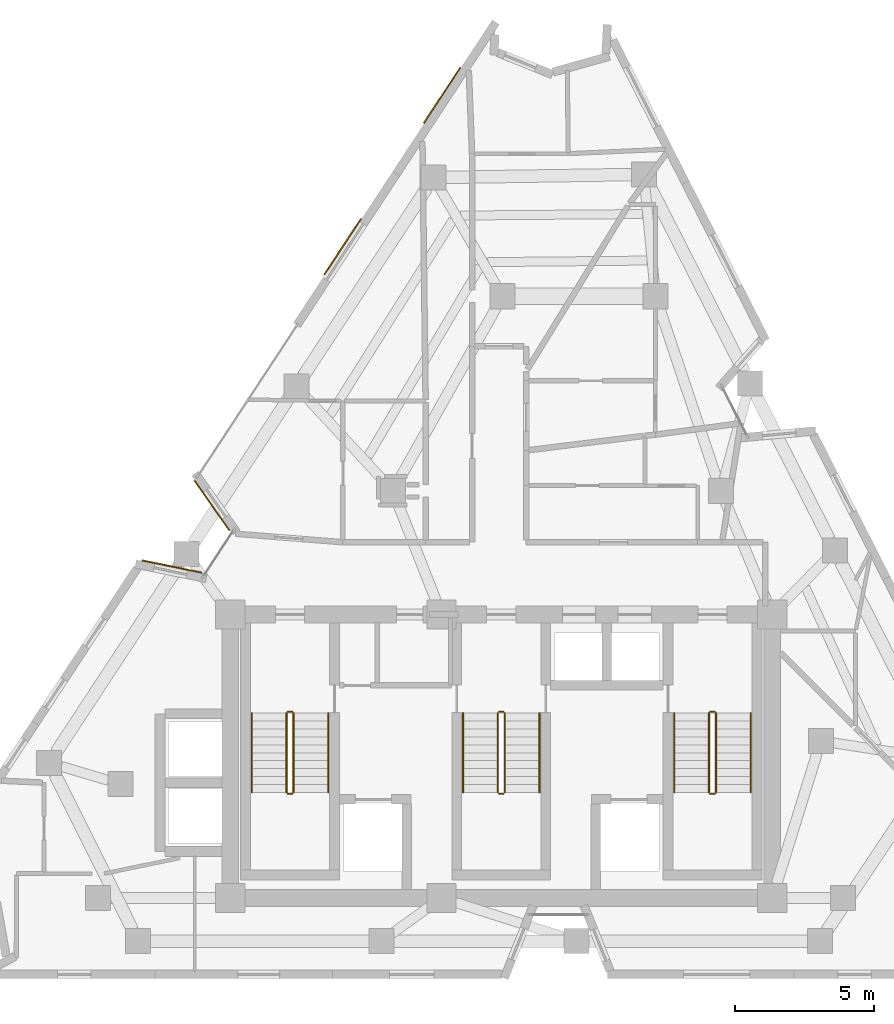
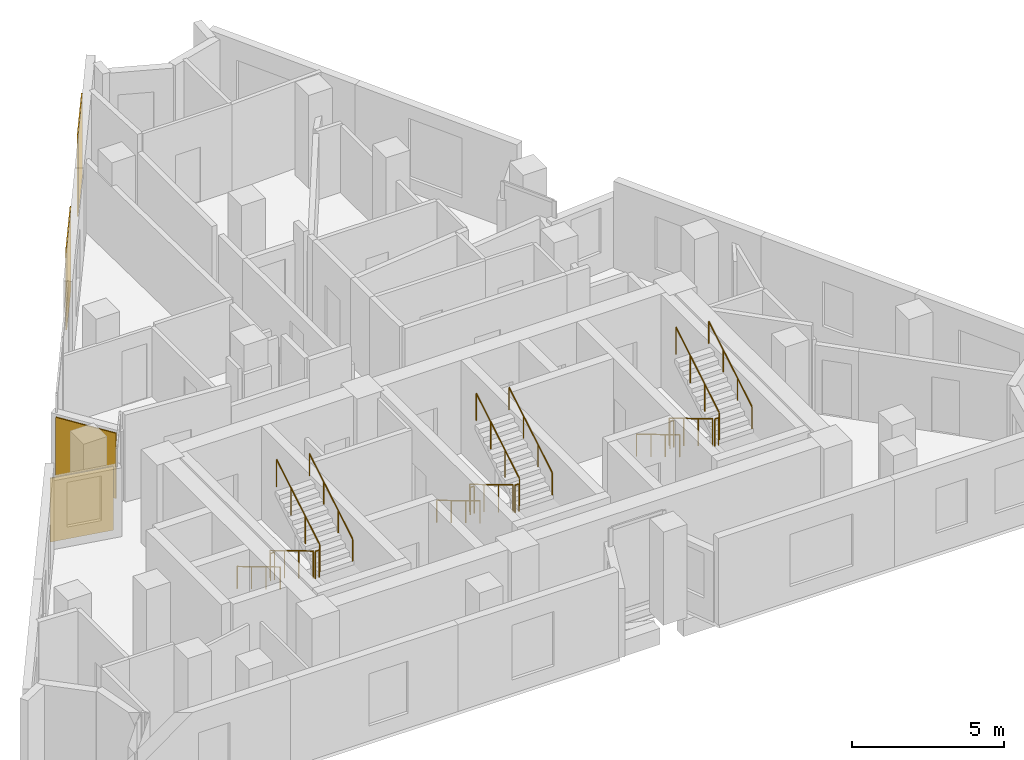
# One storey, part 9 of 9: 18 railings, 4 coverings.
"""IFC4 building model written with IfcOpenShell, lengths in metres."""

import ifcopenshell
import ifcopenshell.guid

model = None  # the IFC model being written
_history = None  # IfcOwnerHistory: only IFC2X3 demands one
_inside = {}  # id of a spatial element -> (the spatial element, [elements in it])
_under = {}  # id of a project, library or spatial element -> (it, [spatial elements below it])
_declared = {}  # id of a project -> (the project, [libraries it declares])
_typed = {}  # id of a type object -> (the type object, [elements of that type])
_made_of = {}  # id of a material, layer set ... -> (it, [elements and type objects made of it])


def new_model(schema):
    """Start an empty IFC model of exactly this schema.

    Asked for "IFC4X3", IfcOpenShell would pick the latest addendum, in which some entities
    have other attributes; the version numbers below select the first issue.
    IFC2X3 requires an IfcOwnerHistory on every rooted entity: one is made here for all.
    """
    global model, _history
    if schema == "IFC4X3":
        model = ifcopenshell.file(schema_version=(4, 3, 0, 0))
    else:
        model = ifcopenshell.file(schema=schema)
    _inside.clear()
    _under.clear()
    _declared.clear()
    _typed.clear()
    _made_of.clear()
    _history = None
    if model.schema == "IFC2X3":
        org = make("IfcOrganization", Name="unknown")
        user = make(
            "IfcPersonAndOrganization",
            ThePerson=make("IfcPerson", FamilyName="unknown"),
            TheOrganization=org,
        )
        app = make(
            "IfcApplication",
            ApplicationDeveloper=org,
            Version="unknown",
            ApplicationFullName="unknown",
            ApplicationIdentifier="unknown",
        )
        _history = make(
            "IfcOwnerHistory",
            OwningUser=user,
            OwningApplication=app,
            ChangeAction="ADDED",
            CreationDate=0,
        )
    return model


def make(cls, **values):
    """One entity of the class cls with the attributes given. An attribute that is None is left unset."""
    return model.create_entity(
        cls, **{name: value for name, value in values.items() if value is not None}
    )


def rooted(cls, **values):
    """An entity with a GlobalId (a new one), such as an element, a storey or a relation."""
    return make(cls, GlobalId=ifcopenshell.guid.new(), OwnerHistory=_history, **values)


def si_unit(unit_type, name, prefix=None):
    """IfcSIUnit, for example si_unit("LENGTHUNIT", "METRE", prefix="MILLI")."""
    return make("IfcSIUnit", UnitType=unit_type, Prefix=prefix, Name=name)


def assignment(units):
    """IfcUnitAssignment: the units of a project."""
    return None if units is None else make("IfcUnitAssignment", Units=units)


def point(xyz):
    """IfcCartesianPoint."""
    return None if xyz is None else make("IfcCartesianPoint", Coordinates=xyz)


def direction(xyz):
    """IfcDirection."""
    return None if xyz is None else make("IfcDirection", DirectionRatios=xyz)


def frame(location, z_axis=None, x_axis=None):
    """IfcAxis2Placement3D, a coordinate frame: its origin and axes. An axis left out is left unset."""
    return make(
        "IfcAxis2Placement3D",
        Location=point(location),
        Axis=direction(z_axis),
        RefDirection=direction(x_axis),
    )


def frame_2d(location, x_axis=None):
    """IfcAxis2Placement2D, a coordinate frame in the plane: its origin and x axis."""
    return make(
        "IfcAxis2Placement2D", Location=point(location), RefDirection=direction(x_axis)
    )


def origin():
    """The frame at (0, 0, 0) with its axes left unset."""
    return frame((0.0, 0.0, 0.0))


def origin_2d():
    """The frame at (0, 0) in the plane with its x axis left unset."""
    return frame_2d((0.0, 0.0))


def place(relative_to, where):
    """IfcLocalPlacement: puts the frame where relative to a parent placement (None: the world)."""
    return make(
        "IfcLocalPlacement", PlacementRelTo=relative_to, RelativePlacement=where
    )


def context(
    kind, dimensions, precision=None, world=None, true_north=None, identifier=None
):
    """IfcGeometricRepresentationContext, for example the 3D "Model" context."""
    return make(
        "IfcGeometricRepresentationContext",
        ContextIdentifier=identifier,
        ContextType=kind,
        CoordinateSpaceDimension=dimensions,
        Precision=precision,
        WorldCoordinateSystem=world,
        TrueNorth=true_north,
    )


def subcontext(parent, identifier, kind, view, scale=None):
    """IfcGeometricRepresentationSubContext, for example "Body" below "Model"."""
    return make(
        "IfcGeometricRepresentationSubContext",
        ContextIdentifier=identifier,
        ContextType=kind,
        ParentContext=parent,
        TargetScale=scale,
        TargetView=view,
    )


def project(units=None, contexts=None):
    """IfcProject with its units and contexts."""
    return rooted(
        "IfcProject",
        Name="project",
        RepresentationContexts=contexts,
        UnitsInContext=assignment(units),
    )


def spatial(cls, under=None, at=None, **own):
    """A site, building, storey or space (cls), placed at a placement, below another one or the project."""
    s = rooted(cls, ObjectPlacement=at, **own)
    if under is not None:
        _under.setdefault(under.id(), (under, []))[1].append(s)
    return s


def profile(cls, at=None, kind="AREA", **sizes):
    """A parametric profile (cls). Its sizes go by their IFC names, for example OverallWidth=200.0."""
    return make(cls, ProfileType=kind, Position=at, **sizes)


def rectangle(**sizes):
    """IfcRectangleProfileDef."""
    return profile("IfcRectangleProfileDef", **sizes)


def circle(**sizes):
    """IfcCircleProfileDef."""
    return profile("IfcCircleProfileDef", **sizes)


def extrude(swept, where, along, depth):
    """IfcExtrudedAreaSolid: the profile swept, set in the frame where, extruded along a direction by depth."""
    return make(
        "IfcExtrudedAreaSolid",
        SweptArea=swept,
        Position=where,
        ExtrudedDirection=direction(along),
        Depth=depth,
    )


def shape(context_of_items, identifier, shape_type, items):
    """IfcShapeRepresentation: the items that make up one representation, for example the "Body"."""
    return make(
        "IfcShapeRepresentation",
        ContextOfItems=context_of_items,
        RepresentationIdentifier=identifier,
        RepresentationType=shape_type,
        Items=items,
    )


def material(Name=None, Category=None):
    """IfcMaterial."""
    return make("IfcMaterial", Name=Name, Category=Category)


def layer(
    of_material, thickness, ventilated=None, Name=None, Category=None, Priority=None
):
    """IfcMaterialLayer: one layer of a wall or slab, of a material (None: an air gap)."""
    return make(
        "IfcMaterialLayer",
        Material=of_material,
        LayerThickness=thickness,
        IsVentilated=ventilated,
        Name=Name,
        Category=Category,
        Priority=Priority,
    )


def layer_set(layers, Name=None):
    """IfcMaterialLayerSet."""
    return make("IfcMaterialLayerSet", MaterialLayers=layers, LayerSetName=Name)


def made_of(thing, what):
    """Note that an element or type object is made of a material, layer set ...; save() writes the relation."""
    if what is not None:
        _made_of.setdefault(what.id(), (what, []))[1].append(thing)
    return thing


def type_object(cls, material=None, **own):
    """A type object (cls), such as IfcWallType, which elements share."""
    return made_of(rooted(cls, **own), material)


def element(
    cls,
    number,
    at=None,
    inside=None,
    cuts=None,
    type_object=None,
    material=None,
    context=None,
    identifier="Body",
    shape_type=None,
    held_by="IfcProductDefinitionShape",
    body=None,
    shapes=None,
    **own,
):
    """One element of the class cls, such as IfcWall. Its Tag is "e" and its number.

    at: its placement. inside: the storey or other place that contains it. cuts: it is an
    opening in that element (IfcRelVoidsElement). A single representation is given by context,
    identifier, shape_type and body (its items); several are given by shapes. held_by: the class
    of the entity that holds the representations. save() writes the other relations.
    """
    e = rooted(cls, Tag="e%d" % number, ObjectPlacement=at, **own)
    if body is not None:
        shapes = [shape(context, identifier, shape_type, body)]
    if shapes is not None:
        e.Representation = make(held_by, Representations=shapes)
    if inside is not None:
        _inside.setdefault(inside.id(), (inside, []))[1].append(e)
    if cuts is not None:
        rooted(
            "IfcRelVoidsElement", RelatingBuildingElement=cuts, RelatedOpeningElement=e
        )
    if type_object is not None:
        _typed.setdefault(type_object.id(), (type_object, []))[1].append(e)
    return made_of(e, material)


def aggregate(whole, parts):
    """IfcRelAggregates: a whole, such as a stair, and the parts it consists of."""
    return rooted("IfcRelAggregates", RelatingObject=whole, RelatedObjects=parts)


def save(model, path):
    """Write the relations noted so far, then the file.

    IfcRelAggregates (storeys below a building ...), IfcRelContainedInSpatialStructure (elements
    in a storey), IfcRelDefinesByType, IfcRelAssociatesMaterial and IfcRelDeclares: one each for
    every whole, place, type object, material and project.
    """
    for whole, parts in _under.values():
        aggregate(whole, parts)
    for where, things in _inside.values():
        rooted(
            "IfcRelContainedInSpatialStructure",
            RelatedElements=things,
            RelatingStructure=where,
        )
    for kind, things in _typed.values():
        rooted("IfcRelDefinesByType", RelatedObjects=things, RelatingType=kind)
    for what, things in _made_of.values():
        rooted("IfcRelAssociatesMaterial", RelatedObjects=things, RelatingMaterial=what)
    for by, libraries in _declared.values():
        rooted("IfcRelDeclares", RelatingContext=by, RelatedDefinitions=libraries)
    model.write(path)


model = new_model("IFC4")

# Units and contexts
model_context = context("Model", 3, precision=1e-05, world=origin(), true_north=direction((0.0, 1.0)))
body_context = subcontext(model_context, "Body", "Model", "MODEL_VIEW")
ifc_project = project(units=[si_unit("LENGTHUNIT", "METRE"), si_unit("AREAUNIT", "SQUARE_METRE"), si_unit("VOLUMEUNIT", "CUBIC_METRE"), si_unit("PLANEANGLEUNIT", "RADIAN"), si_unit("MASSUNIT", "GRAM", prefix="KILO")], contexts=[model_context])

# Site, building, storey
site_placement = place(None, origin())
site = spatial("IfcSite", under=ifc_project, at=site_placement, CompositionType="ELEMENT")
building_placement = place(site_placement, origin())
building = spatial("IfcBuilding", under=site, at=building_placement, Name="Almagre Mirador Tower", CompositionType="ELEMENT")
storey_placement = place(building_placement, frame((0.0, 0.0, 244.5)))
storey = spatial("IfcBuildingStorey", under=building, at=storey_placement, Name="L63", CompositionType="ELEMENT", Elevation=244.5)

# Coverings
ifc_material_1 = material(Name="Almagre terracotta architectural cladding", Category="masonry")
ifc_layer = layer(ifc_material_1, 0.044921875)
ifc_layer_set = layer_set([ifc_layer], Name="Almagre terracotta architectural cladding")
covering_type = type_object("IfcCoveringType", Name="COV-CLAD-ALMAGRE", PredefinedType="CLADDING", material=ifc_layer_set)
covering_1_placement = place(storey_placement, frame((25.4501953125, 16.47509765625, 0.10009765625), z_axis=(0.0, 0.0, 1.0), x_axis=(0.979515545462, -0.201368558118, 0.0)))
element("IfcCovering", 1, at=covering_1_placement, inside=storey, type_object=covering_type, Name="L63 almagre terracotta pier cladding", PredefinedType="CLADDING", context=body_context, shape_type="SweptSolid", body=[
    extrude(rectangle(XDim=2.194091796875, YDim=0.044921875, at=origin_2d()), origin(), (0.0, 0.0, 1.0), 2.569091796875),
])
covering_2_placement = place(storey_placement, frame((26.89111328125, 18.668701171875, 0.10009765625), z_axis=(0.0, 0.0, 1.0), x_axis=(-0.573590733164, 0.819142033367, 0.0)))
element("IfcCovering", 2, at=covering_2_placement, inside=storey, type_object=covering_type, Name="L63 almagre terracotta pier cladding", PredefinedType="CLADDING", context=body_context, shape_type="SweptSolid", body=[
    extrude(rectangle(XDim=2.193115234375, YDim=0.044921875, at=origin_2d()), origin(), (0.0, 0.0, 1.0), 2.625),
])
for number, where, z_axis, x_axis, name in (
    (3, (31.59228515625, 27.980712890625, 0.10009765625), (0.0, 0.0, 1.0), (0.549037405505, 0.835797778985, 0.0), "L63 almagre terracotta pier cladding"),
    (4, (35.170654296875, 33.427978515625, 0.10009765625), (0.0, 0.0, 1.0), (0.549037405505, 0.835797778985, 0.0), "L63 almagre terracotta pier cladding"),
):
    element("IfcCovering", number, at=place(storey_placement, frame(where, z_axis=z_axis, x_axis=x_axis)), inside=storey, type_object=covering_type, Name=name, PredefinedType="CLADDING", context=body_context, shape_type="SweptSolid", body=[
        extrude(rectangle(XDim=2.39990234375, YDim=0.044921875, at=origin_2d()), origin(), (0.0, 0.0, 1.0), 3.300048828125),
    ])

# Railings
ifc_material_2 = material(Name="Painted galvanized steel", Category="steel")
railing_type_1 = type_object("IfcRailingType", Name="RLG-GRD-1100", PredefinedType="GUARDRAIL", material=ifc_material_2)
railing_1_placement = place(storey_placement, frame((29.574951171875, 11.199951171875, 0.17041015625)))
element("IfcRailing", 5, at=railing_1_placement, inside=storey, type_object=railing_type_1, Name="L63 ST-1 stair guard 1", PredefinedType="GUARDRAIL", context=body_context, shape_type="SweptSolid", body=[
    extrude(circle(Radius=0.02392578125, at=origin_2d()), frame((0.0, 0.0, 1.09619140625), z_axis=(0.0, -0.858199205511, 0.513316786848), x_axis=(1.0, 0.0, 0.0)), (0.0, 0.0, 1.0), 3.32080078125),
    extrude(circle(Radius=0.02099609375, at=origin_2d()), origin(), (0.0, 0.0, 1.0), 1.072021484375),
    extrude(circle(Radius=0.02099609375, at=origin_2d()), frame((0.0, -0.949951171875, 0.568115234375)), (0.0, 0.0, 1.0), 1.072021484375),
    extrude(circle(Radius=0.02099609375, at=origin_2d()), frame((0.0, -1.89990234375, 1.136474609375)), (0.0, 0.0, 1.0), 1.072021484375),
    extrude(circle(Radius=0.02099609375, at=origin_2d()), frame((0.0, -2.849853515625, 1.70458984375)), (0.0, 0.0, 1.0), 1.072021484375),
])
railing_2_placement = place(storey_placement, frame((29.625, 8.300048828125, 1.875)))
element("IfcRailing", 6, at=railing_2_placement, inside=storey, type_object=railing_type_1, Name="L63 ST-1 stair guard 2", PredefinedType="GUARDRAIL", context=body_context, shape_type="SweptSolid", body=[
    extrude(circle(Radius=0.02392578125, at=origin_2d()), frame((0.0, 0.0, 1.09619140625), z_axis=(1.0, 0.0, 0.0), x_axis=(0.0, 1.0, 0.0)), (0.0, 0.0, 1.0), 0.14990234375),
    extrude(circle(Radius=0.02099609375, at=origin_2d()), origin(), (0.0, 0.0, 1.0), 1.072021484375),
    extrude(circle(Radius=0.02099609375, at=origin_2d()), frame((0.14990234375, 0.0, 0.0)), (0.0, 0.0, 1.0), 1.072021484375),
])
railing_3_placement = place(storey_placement, frame((29.824951171875, 8.35009765625, 2.04541015625)))
element("IfcRailing", 7, at=railing_3_placement, inside=storey, type_object=railing_type_1, Name="L63 ST-1 stair guard 3", PredefinedType="GUARDRAIL", context=body_context, shape_type="SweptSolid", body=[
    extrude(circle(Radius=0.02392578125, at=origin_2d()), frame((0.0, 0.0, 1.09619140625), z_axis=(0.0, 0.858199205511, 0.513316786848), x_axis=(-1.0, 0.0, 0.0)), (0.0, 0.0, 1.0), 3.32080078125),
    extrude(circle(Radius=0.02099609375, at=origin_2d()), origin(), (0.0, 0.0, 1.0), 1.072021484375),
    extrude(circle(Radius=0.02099609375, at=origin_2d()), frame((0.0, 0.949951171875, 0.568115234375)), (0.0, 0.0, 1.0), 1.072021484375),
    extrude(circle(Radius=0.02099609375, at=origin_2d()), frame((0.0, 1.89990234375, 1.136474609375)), (0.0, 0.0, 1.0), 1.072021484375),
    extrude(circle(Radius=0.02099609375, at=origin_2d()), frame((0.0, 2.849853515625, 1.70458984375)), (0.0, 0.0, 1.0), 1.072021484375),
])
railing_4_placement = place(storey_placement, frame((29.625, 11.25, 0.0)))
element("IfcRailing", 8, at=railing_4_placement, inside=storey, type_object=railing_type_1, Name="L63 ST-1 stair guard 4", PredefinedType="GUARDRAIL", context=body_context, shape_type="SweptSolid", body=[
    extrude(circle(Radius=0.02392578125, at=origin_2d()), frame((0.0, 0.0, 1.09619140625), z_axis=(1.0, 0.0, 0.0), x_axis=(0.0, 1.0, 0.0)), (0.0, 0.0, 1.0), 0.14990234375),
    extrude(circle(Radius=0.02099609375, at=origin_2d()), origin(), (0.0, 0.0, 1.0), 1.072021484375),
    extrude(circle(Radius=0.02099609375, at=origin_2d()), frame((0.14990234375, 0.0, 0.0)), (0.0, 0.0, 1.0), 1.072021484375),
])
railing_5_placement = place(storey_placement, frame((37.175048828125, 11.199951171875, 0.17041015625)))
element("IfcRailing", 9, at=railing_5_placement, inside=storey, type_object=railing_type_1, Name="L63 ST-2 stair guard 1", PredefinedType="GUARDRAIL", context=body_context, shape_type="SweptSolid", body=[
    extrude(circle(Radius=0.02392578125, at=origin_2d()), frame((0.0, 0.0, 1.09619140625), z_axis=(0.0, -0.858199205511, 0.513316786848), x_axis=(1.0, 0.0, 0.0)), (0.0, 0.0, 1.0), 3.32080078125),
    extrude(circle(Radius=0.02099609375, at=origin_2d()), origin(), (0.0, 0.0, 1.0), 1.072021484375),
    extrude(circle(Radius=0.02099609375, at=origin_2d()), frame((0.0, -0.949951171875, 0.568115234375)), (0.0, 0.0, 1.0), 1.072021484375),
    extrude(circle(Radius=0.02099609375, at=origin_2d()), frame((0.0, -1.89990234375, 1.136474609375)), (0.0, 0.0, 1.0), 1.072021484375),
    extrude(circle(Radius=0.02099609375, at=origin_2d()), frame((0.0, -2.849853515625, 1.70458984375)), (0.0, 0.0, 1.0), 1.072021484375),
])
railing_6_placement = place(storey_placement, frame((37.22509765625, 8.300048828125, 1.875)))
element("IfcRailing", 10, at=railing_6_placement, inside=storey, type_object=railing_type_1, Name="L63 ST-2 stair guard 2", PredefinedType="GUARDRAIL", context=body_context, shape_type="SweptSolid", body=[
    extrude(circle(Radius=0.02392578125, at=origin_2d()), frame((0.0, 0.0, 1.09619140625), z_axis=(1.0, 0.0, 0.0), x_axis=(0.0, 1.0, 0.0)), (0.0, 0.0, 1.0), 0.14990234375),
    extrude(circle(Radius=0.02099609375, at=origin_2d()), origin(), (0.0, 0.0, 1.0), 1.072021484375),
    extrude(circle(Radius=0.02099609375, at=origin_2d()), frame((0.14990234375, 0.0, 0.0)), (0.0, 0.0, 1.0), 1.072021484375),
])
railing_7_placement = place(storey_placement, frame((37.425048828125, 8.35009765625, 2.04541015625)))
element("IfcRailing", 11, at=railing_7_placement, inside=storey, type_object=railing_type_1, Name="L63 ST-2 stair guard 3", PredefinedType="GUARDRAIL", context=body_context, shape_type="SweptSolid", body=[
    extrude(circle(Radius=0.02392578125, at=origin_2d()), frame((0.0, 0.0, 1.09619140625), z_axis=(0.0, 0.858199205511, 0.513316786848), x_axis=(-1.0, 0.0, 0.0)), (0.0, 0.0, 1.0), 3.32080078125),
    extrude(circle(Radius=0.02099609375, at=origin_2d()), origin(), (0.0, 0.0, 1.0), 1.072021484375),
    extrude(circle(Radius=0.02099609375, at=origin_2d()), frame((0.0, 0.949951171875, 0.568115234375)), (0.0, 0.0, 1.0), 1.072021484375),
    extrude(circle(Radius=0.02099609375, at=origin_2d()), frame((0.0, 1.89990234375, 1.136474609375)), (0.0, 0.0, 1.0), 1.072021484375),
    extrude(circle(Radius=0.02099609375, at=origin_2d()), frame((0.0, 2.849853515625, 1.70458984375)), (0.0, 0.0, 1.0), 1.072021484375),
])
railing_8_placement = place(storey_placement, frame((37.22509765625, 11.25, 0.0)))
element("IfcRailing", 12, at=railing_8_placement, inside=storey, type_object=railing_type_1, Name="L63 ST-2 stair guard 4", PredefinedType="GUARDRAIL", context=body_context, shape_type="SweptSolid", body=[
    extrude(circle(Radius=0.02392578125, at=origin_2d()), frame((0.0, 0.0, 1.09619140625), z_axis=(1.0, 0.0, 0.0), x_axis=(0.0, 1.0, 0.0)), (0.0, 0.0, 1.0), 0.14990234375),
    extrude(circle(Radius=0.02099609375, at=origin_2d()), origin(), (0.0, 0.0, 1.0), 1.072021484375),
    extrude(circle(Radius=0.02099609375, at=origin_2d()), frame((0.14990234375, 0.0, 0.0)), (0.0, 0.0, 1.0), 1.072021484375),
])
railing_9_placement = place(storey_placement, frame((44.77490234375, 11.199951171875, 0.17041015625)))
element("IfcRailing", 13, at=railing_9_placement, inside=storey, type_object=railing_type_1, Name="L63 ST-3 stair guard 1", PredefinedType="GUARDRAIL", context=body_context, shape_type="SweptSolid", body=[
    extrude(circle(Radius=0.02392578125, at=origin_2d()), frame((0.0, 0.0, 1.09619140625), z_axis=(0.0, -0.858199205511, 0.513316786848), x_axis=(1.0, 0.0, 0.0)), (0.0, 0.0, 1.0), 3.32080078125),
    extrude(circle(Radius=0.02099609375, at=origin_2d()), origin(), (0.0, 0.0, 1.0), 1.072021484375),
    extrude(circle(Radius=0.02099609375, at=origin_2d()), frame((0.0, -0.949951171875, 0.568115234375)), (0.0, 0.0, 1.0), 1.072021484375),
    extrude(circle(Radius=0.02099609375, at=origin_2d()), frame((0.0, -1.89990234375, 1.136474609375)), (0.0, 0.0, 1.0), 1.072021484375),
    extrude(circle(Radius=0.02099609375, at=origin_2d()), frame((0.0, -2.849853515625, 1.70458984375)), (0.0, 0.0, 1.0), 1.072021484375),
])
railing_10_placement = place(storey_placement, frame((44.824951171875, 8.300048828125, 1.875)))
element("IfcRailing", 14, at=railing_10_placement, inside=storey, type_object=railing_type_1, Name="L63 ST-3 stair guard 2", PredefinedType="GUARDRAIL", context=body_context, shape_type="SweptSolid", body=[
    extrude(circle(Radius=0.02392578125, at=origin_2d()), frame((0.0, 0.0, 1.09619140625), z_axis=(1.0, 0.0, 0.0), x_axis=(0.0, 1.0, 0.0)), (0.0, 0.0, 1.0), 0.150146484375),
    extrude(circle(Radius=0.02099609375, at=origin_2d()), origin(), (0.0, 0.0, 1.0), 1.072021484375),
    extrude(circle(Radius=0.02099609375, at=origin_2d()), frame((0.150146484375, 0.0, 0.0)), (0.0, 0.0, 1.0), 1.072021484375),
])
railing_11_placement = place(storey_placement, frame((45.02490234375, 8.35009765625, 2.04541015625)))
element("IfcRailing", 15, at=railing_11_placement, inside=storey, type_object=railing_type_1, Name="L63 ST-3 stair guard 3", PredefinedType="GUARDRAIL", context=body_context, shape_type="SweptSolid", body=[
    extrude(circle(Radius=0.02392578125, at=origin_2d()), frame((0.0, 0.0, 1.09619140625), z_axis=(0.0, 0.858199205511, 0.513316786848), x_axis=(-1.0, 0.0, 0.0)), (0.0, 0.0, 1.0), 3.32080078125),
    extrude(circle(Radius=0.02099609375, at=origin_2d()), origin(), (0.0, 0.0, 1.0), 1.072021484375),
    extrude(circle(Radius=0.02099609375, at=origin_2d()), frame((0.0, 0.949951171875, 0.568115234375)), (0.0, 0.0, 1.0), 1.072021484375),
    extrude(circle(Radius=0.02099609375, at=origin_2d()), frame((0.0, 1.89990234375, 1.136474609375)), (0.0, 0.0, 1.0), 1.072021484375),
    extrude(circle(Radius=0.02099609375, at=origin_2d()), frame((0.0, 2.849853515625, 1.70458984375)), (0.0, 0.0, 1.0), 1.072021484375),
])
railing_12_placement = place(storey_placement, frame((44.824951171875, 11.25, 0.0)))
element("IfcRailing", 16, at=railing_12_placement, inside=storey, type_object=railing_type_1, Name="L63 ST-3 stair guard 4", PredefinedType="GUARDRAIL", context=body_context, shape_type="SweptSolid", body=[
    extrude(circle(Radius=0.02392578125, at=origin_2d()), frame((0.0, 0.0, 1.09619140625), z_axis=(1.0, 0.0, 0.0), x_axis=(0.0, 1.0, 0.0)), (0.0, 0.0, 1.0), 0.150146484375),
    extrude(circle(Radius=0.02099609375, at=origin_2d()), origin(), (0.0, 0.0, 1.0), 1.072021484375),
    extrude(circle(Radius=0.02099609375, at=origin_2d()), frame((0.150146484375, 0.0, 0.0)), (0.0, 0.0, 1.0), 1.072021484375),
])
ifc_material_3 = material(Name="Brushed stainless steel", Category="steel")
railing_type_2 = type_object("IfcRailingType", Name="RLG-HND-915", PredefinedType="HANDRAIL", material=ifc_material_3)
railing_13_placement = place(storey_placement, frame((28.324951171875, 11.199951171875, 0.17041015625)))
element("IfcRailing", 17, at=railing_13_placement, inside=storey, type_object=railing_type_2, Name="L63 ST-1 stair handrail 1", PredefinedType="HANDRAIL", context=body_context, shape_type="SweptSolid", body=[
    extrude(circle(Radius=0.02392578125, at=origin_2d()), frame((0.0, 0.0, 0.89111328125), z_axis=(0.0, -0.858199205511, 0.513316786848), x_axis=(1.0, 0.0, 0.0)), (0.0, 0.0, 1.0), 3.32080078125),
    extrude(circle(Radius=0.02099609375, at=origin_2d()), origin(), (0.0, 0.0, 1.0), 0.866943359375),
    extrude(circle(Radius=0.02099609375, at=origin_2d()), frame((0.0, -0.949951171875, 0.568115234375)), (0.0, 0.0, 1.0), 0.866943359375),
    extrude(circle(Radius=0.02099609375, at=origin_2d()), frame((0.0, -1.89990234375, 1.136474609375)), (0.0, 0.0, 1.0), 0.866943359375),
    extrude(circle(Radius=0.02099609375, at=origin_2d()), frame((0.0, -2.849853515625, 1.70458984375)), (0.0, 0.0, 1.0), 0.866943359375),
])
railing_14_placement = place(storey_placement, frame((31.074951171875, 8.35009765625, 2.04541015625)))
element("IfcRailing", 18, at=railing_14_placement, inside=storey, type_object=railing_type_2, Name="L63 ST-1 stair handrail 2", PredefinedType="HANDRAIL", context=body_context, shape_type="SweptSolid", body=[
    extrude(circle(Radius=0.02392578125, at=origin_2d()), frame((0.0, 0.0, 0.89111328125), z_axis=(0.0, 0.858199205511, 0.513316786848), x_axis=(-1.0, 0.0, 0.0)), (0.0, 0.0, 1.0), 3.32080078125),
    extrude(circle(Radius=0.02099609375, at=origin_2d()), origin(), (0.0, 0.0, 1.0), 0.866943359375),
    extrude(circle(Radius=0.02099609375, at=origin_2d()), frame((0.0, 0.949951171875, 0.568115234375)), (0.0, 0.0, 1.0), 0.866943359375),
    extrude(circle(Radius=0.02099609375, at=origin_2d()), frame((0.0, 1.89990234375, 1.136474609375)), (0.0, 0.0, 1.0), 0.866943359375),
    extrude(circle(Radius=0.02099609375, at=origin_2d()), frame((0.0, 2.849853515625, 1.70458984375)), (0.0, 0.0, 1.0), 0.866943359375),
])
railing_15_placement = place(storey_placement, frame((35.925048828125, 11.199951171875, 0.17041015625)))
element("IfcRailing", 19, at=railing_15_placement, inside=storey, type_object=railing_type_2, Name="L63 ST-2 stair handrail 1", PredefinedType="HANDRAIL", context=body_context, shape_type="SweptSolid", body=[
    extrude(circle(Radius=0.02392578125, at=origin_2d()), frame((0.0, 0.0, 0.89111328125), z_axis=(0.0, -0.858199205511, 0.513316786848), x_axis=(1.0, 0.0, 0.0)), (0.0, 0.0, 1.0), 3.32080078125),
    extrude(circle(Radius=0.02099609375, at=origin_2d()), origin(), (0.0, 0.0, 1.0), 0.866943359375),
    extrude(circle(Radius=0.02099609375, at=origin_2d()), frame((0.0, -0.949951171875, 0.568115234375)), (0.0, 0.0, 1.0), 0.866943359375),
    extrude(circle(Radius=0.02099609375, at=origin_2d()), frame((0.0, -1.89990234375, 1.136474609375)), (0.0, 0.0, 1.0), 0.866943359375),
    extrude(circle(Radius=0.02099609375, at=origin_2d()), frame((0.0, -2.849853515625, 1.70458984375)), (0.0, 0.0, 1.0), 0.866943359375),
])
railing_16_placement = place(storey_placement, frame((38.675048828125, 8.35009765625, 2.04541015625)))
element("IfcRailing", 20, at=railing_16_placement, inside=storey, type_object=railing_type_2, Name="L63 ST-2 stair handrail 2", PredefinedType="HANDRAIL", context=body_context, shape_type="SweptSolid", body=[
    extrude(circle(Radius=0.02392578125, at=origin_2d()), frame((0.0, 0.0, 0.89111328125), z_axis=(0.0, 0.858199205511, 0.513316786848), x_axis=(-1.0, 0.0, 0.0)), (0.0, 0.0, 1.0), 3.32080078125),
    extrude(circle(Radius=0.02099609375, at=origin_2d()), origin(), (0.0, 0.0, 1.0), 0.866943359375),
    extrude(circle(Radius=0.02099609375, at=origin_2d()), frame((0.0, 0.949951171875, 0.568115234375)), (0.0, 0.0, 1.0), 0.866943359375),
    extrude(circle(Radius=0.02099609375, at=origin_2d()), frame((0.0, 1.89990234375, 1.136474609375)), (0.0, 0.0, 1.0), 0.866943359375),
    extrude(circle(Radius=0.02099609375, at=origin_2d()), frame((0.0, 2.849853515625, 1.70458984375)), (0.0, 0.0, 1.0), 0.866943359375),
])
railing_17_placement = place(storey_placement, frame((43.52490234375, 11.199951171875, 0.17041015625)))
element("IfcRailing", 21, at=railing_17_placement, inside=storey, type_object=railing_type_2, Name="L63 ST-3 stair handrail 1", PredefinedType="HANDRAIL", context=body_context, shape_type="SweptSolid", body=[
    extrude(circle(Radius=0.02392578125, at=origin_2d()), frame((0.0, 0.0, 0.89111328125), z_axis=(0.0, -0.858199205511, 0.513316786848), x_axis=(1.0, 0.0, 0.0)), (0.0, 0.0, 1.0), 3.32080078125),
    extrude(circle(Radius=0.02099609375, at=origin_2d()), origin(), (0.0, 0.0, 1.0), 0.866943359375),
    extrude(circle(Radius=0.02099609375, at=origin_2d()), frame((0.0, -0.949951171875, 0.568115234375)), (0.0, 0.0, 1.0), 0.866943359375),
    extrude(circle(Radius=0.02099609375, at=origin_2d()), frame((0.0, -1.89990234375, 1.136474609375)), (0.0, 0.0, 1.0), 0.866943359375),
    extrude(circle(Radius=0.02099609375, at=origin_2d()), frame((0.0, -2.849853515625, 1.70458984375)), (0.0, 0.0, 1.0), 0.866943359375),
])
railing_18_placement = place(storey_placement, frame((46.27490234375, 8.35009765625, 2.04541015625)))
element("IfcRailing", 22, at=railing_18_placement, inside=storey, type_object=railing_type_2, Name="L63 ST-3 stair handrail 2", PredefinedType="HANDRAIL", context=body_context, shape_type="SweptSolid", body=[
    extrude(circle(Radius=0.02392578125, at=origin_2d()), frame((0.0, 0.0, 0.89111328125), z_axis=(0.0, 0.858199205511, 0.513316786848), x_axis=(-1.0, 0.0, 0.0)), (0.0, 0.0, 1.0), 3.32080078125),
    extrude(circle(Radius=0.02099609375, at=origin_2d()), origin(), (0.0, 0.0, 1.0), 0.866943359375),
    extrude(circle(Radius=0.02099609375, at=origin_2d()), frame((0.0, 0.949951171875, 0.568115234375)), (0.0, 0.0, 1.0), 0.866943359375),
    extrude(circle(Radius=0.02099609375, at=origin_2d()), frame((0.0, 1.89990234375, 1.136474609375)), (0.0, 0.0, 1.0), 0.866943359375),
    extrude(circle(Radius=0.02099609375, at=origin_2d()), frame((0.0, 2.849853515625, 1.70458984375)), (0.0, 0.0, 1.0), 0.866943359375),
])

save(model, "model.ifc")
